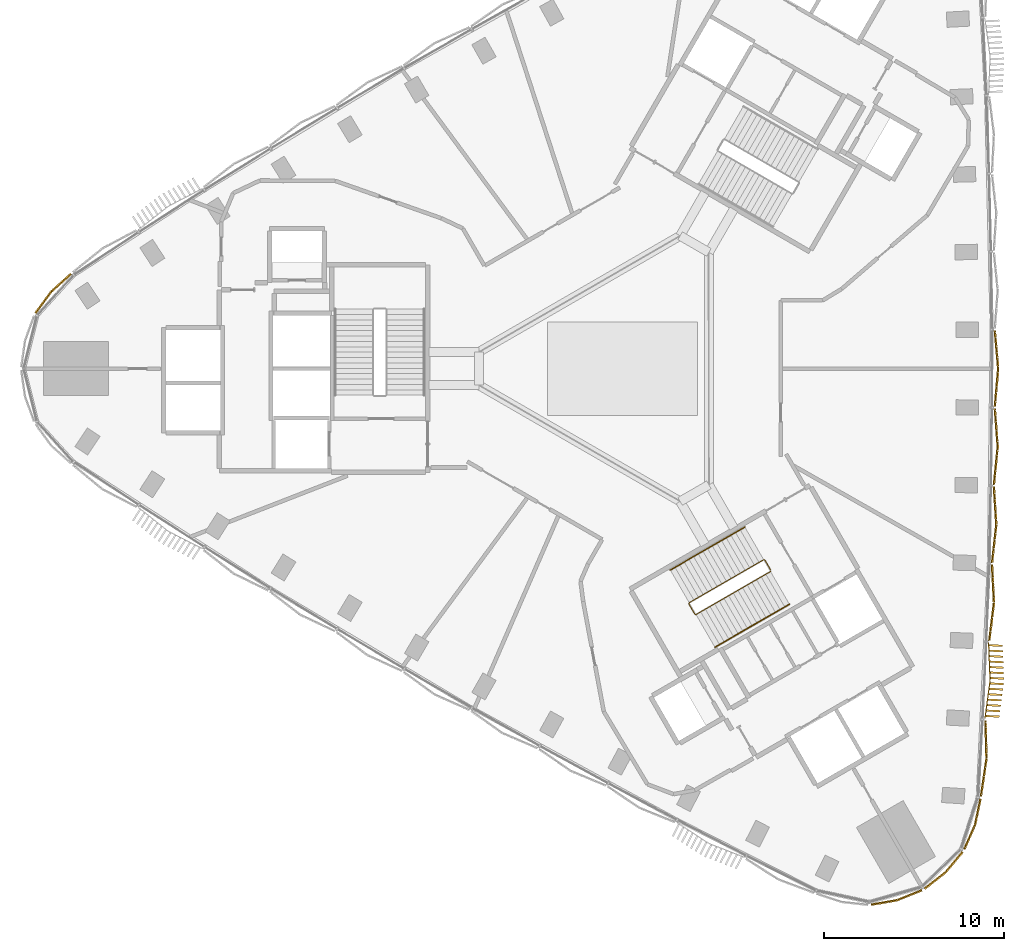
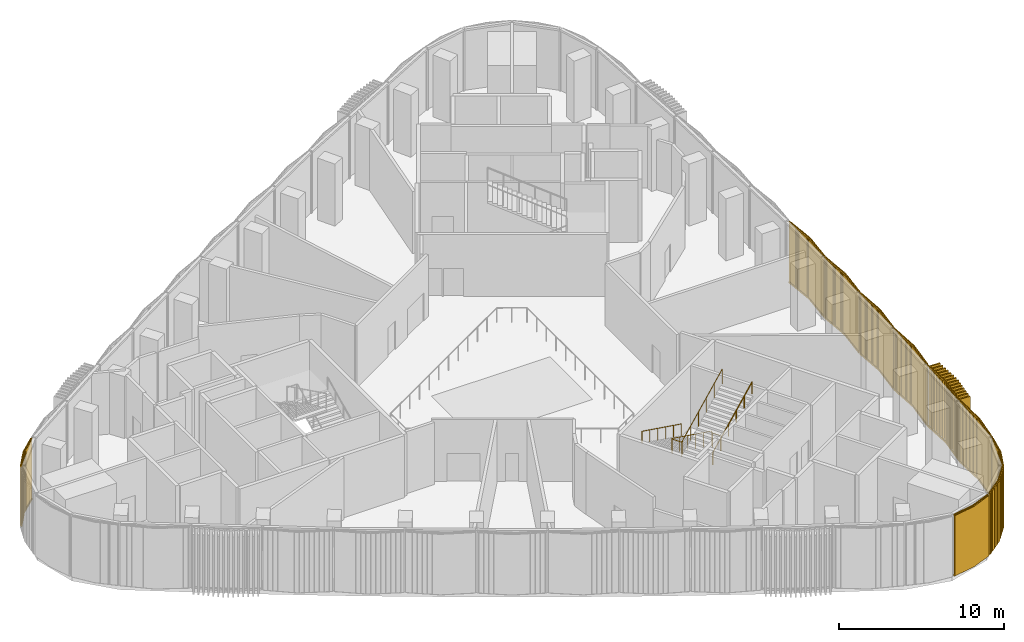
# One storey, part 14 of 17: 10 coverings, 3 railings.
"""IFC4 building model written with IfcOpenShell, lengths in metres."""

from ifc_helpers import new_model, si_unit, direction, frame, frame_2d, origin, origin_2d, place, context, subcontext, project, spatial, rectangle, circle, extrude, source, transform, mapped, material, type_object, element, save


model = new_model("IFC4")

# Units and contexts
model_context = context("Model", 3, precision=1e-05, world=origin(), true_north=direction((0.0, 1.0)))
body_context = subcontext(model_context, "Body", "Model", "MODEL_VIEW")
ifc_project = project(units=[si_unit("LENGTHUNIT", "METRE"), si_unit("AREAUNIT", "SQUARE_METRE"), si_unit("VOLUMEUNIT", "CUBIC_METRE"), si_unit("PLANEANGLEUNIT", "RADIAN"), si_unit("MASSUNIT", "GRAM", prefix="KILO")], contexts=[model_context])

# Site, building, storey
site_placement = place(None, origin())
site = spatial("IfcSite", under=ifc_project, at=site_placement, CompositionType="ELEMENT")
building_placement = place(site_placement, origin())
building = spatial("IfcBuilding", under=site, at=building_placement, Name="Tamra Quay Hotel Tower", CompositionType="ELEMENT")
storey_placement = place(building_placement, frame((0.0, 0.0, 123.800048828125)))
storey = spatial("IfcBuildingStorey", under=building, at=storey_placement, Name="L30", CompositionType="ELEMENT", Elevation=123.800048828125)

# Railings
ifc_material_1 = material(Name="Stair guard 1100")
railing_type_1 = type_object("IfcRailingType", Name="Stair guard 1100", PredefinedType="GUARDRAIL", material=ifc_material_1)
railing_1_placement = place(storey_placement, frame((8.245849609375, -11.221923828125, 0.0)))
element("IfcRailing", 1, at=railing_1_placement, inside=storey, type_object=railing_type_1, Name="GR", PredefinedType="GUARDRAIL", context=body_context, shape_type="SweptSolid", body=[
    extrude(circle(Radius=0.02392578125, at=origin_2d()), frame((0.0, 0.0, 1.076171875), z_axis=(-0.500043078269, 0.866000531106, 0.0), x_axis=(-0.866000531106, -0.500043078269, 0.0)), (0.0, 0.0, 1.0), 0.6591796875),
    extrude(circle(Radius=0.02392578125, at=origin_2d()), frame((-0.32958984375, 0.57080078125, 1.076171875), z_axis=(-0.419065426167, 0.112249667723, 0.90099066626), x_axis=(-0.258736085224, -0.965948051503, 0.0)), (0.0, 0.0, 1.0), 0.1630859375),
    extrude(circle(Radius=0.02392578125, at=origin_2d()), frame((-0.39794921875, 0.589111328125, 1.22314453125), z_axis=(-0.777106586887, -0.448679454232, 0.441352580107), x_axis=(0.500014005679, -0.866017317451, 0.0)), (0.0, 0.0, 1.0), 5.331298828125),
    extrude(circle(Radius=0.02392578125, at=origin_2d()), frame((-4.541015625, -1.802978515625, 3.576171875), z_axis=(-0.258736085224, -0.965948051503, 0.0), x_axis=(0.965948051503, -0.258736085224, 0.0)), (0.0, 0.0, 1.0), 0.07080078125),
    extrude(circle(Radius=0.02392578125, at=origin_2d()), frame((-4.559326171875, -1.871337890625, 3.576171875), z_axis=(0.500203519255, -0.865907869998, 0.0), x_axis=(0.865907869998, 0.500203519255, 0.0)), (0.0, 0.0, 1.0), 0.658935546875),
    extrude(circle(Radius=0.02392578125, at=origin_2d()), frame((-4.229736328125, -2.44189453125, 3.576171875), z_axis=(0.419065426167, -0.112249667723, 0.90099066626), x_axis=(0.258736085224, 0.965948051503, 0.0)), (0.0, 0.0, 1.0), 0.1630859375),
    extrude(circle(Radius=0.02392578125, at=origin_2d()), frame((-4.161376953125, -2.460205078125, 3.72314453125), z_axis=(0.777106586887, 0.448679454232, 0.441352580107), x_axis=(-0.500014005679, 0.866017317451, 0.0)), (0.0, 0.0, 1.0), 5.331298828125),
    extrude(circle(Radius=0.02099609375, at=origin_2d()), origin(), (0.0, 0.0, 1.0), 1.052001953125),
    extrude(circle(Radius=0.02099609375, at=origin_2d()), frame((-0.32958984375, 0.57080078125, 0.0)), (0.0, 0.0, 1.0), 1.052001953125),
    extrude(circle(Radius=0.02099609375, at=origin_2d()), frame((-0.39794921875, 0.589111328125, 0.14697265625)), (0.0, 0.0, 1.0), 1.052001953125),
    extrude(circle(Radius=0.02099609375, at=origin_2d()), frame((-1.2265625, 0.110595703125, 0.61767578125)), (0.0, 0.0, 1.0), 1.052001953125),
    extrude(circle(Radius=0.02099609375, at=origin_2d()), frame((-2.05517578125, -0.36767578125, 1.088134765625)), (0.0, 0.0, 1.0), 1.052001953125),
    extrude(circle(Radius=0.02099609375, at=origin_2d()), frame((-2.8837890625, -0.84619140625, 1.558837890625)), (0.0, 0.0, 1.0), 1.052001953125),
    extrude(circle(Radius=0.02099609375, at=origin_2d()), frame((-3.71240234375, -1.324462890625, 2.029296875)), (0.0, 0.0, 1.0), 1.052001953125),
    extrude(circle(Radius=0.02099609375, at=origin_2d()), frame((-4.541015625, -1.802978515625, 2.5)), (0.0, 0.0, 1.0), 1.052001953125),
    extrude(circle(Radius=0.02099609375, at=origin_2d()), frame((-4.559326171875, -1.871337890625, 2.5)), (0.0, 0.0, 1.0), 1.052001953125),
    extrude(circle(Radius=0.02099609375, at=origin_2d()), frame((-4.229736328125, -2.44189453125, 2.5)), (0.0, 0.0, 1.0), 1.052001953125),
    extrude(circle(Radius=0.02099609375, at=origin_2d()), frame((-4.161376953125, -2.460205078125, 2.64697265625)), (0.0, 0.0, 1.0), 1.052001953125),
    extrude(circle(Radius=0.02099609375, at=origin_2d()), frame((-3.332763671875, -1.981689453125, 3.11767578125)), (0.0, 0.0, 1.0), 1.052001953125),
    extrude(circle(Radius=0.02099609375, at=origin_2d()), frame((-2.504150390625, -1.50341796875, 3.588134765625)), (0.0, 0.0, 1.0), 1.052001953125),
    extrude(circle(Radius=0.02099609375, at=origin_2d()), frame((-1.675537109375, -1.02490234375, 4.058837890625)), (0.0, 0.0, 1.0), 1.052001953125),
    extrude(circle(Radius=0.02099609375, at=origin_2d()), frame((-0.846923828125, -0.546630859375, 4.529296875)), (0.0, 0.0, 1.0), 1.052001953125),
    extrude(circle(Radius=0.02099609375, at=origin_2d()), frame((-0.018310546875, -0.068115234375, 5.0)), (0.0, 0.0, 1.0), 1.052001953125),
])
ifc_material_2 = material(Name="Stair handrail 900")
railing_type_2 = type_object("IfcRailingType", Name="Stair handrail 900", PredefinedType="HANDRAIL", material=ifc_material_2)
railing_2_placement = place(storey_placement, frame((6.7978515625, -8.814208984375, 0.14697265625)))
element("IfcRailing", 2, at=railing_2_placement, inside=storey, type_object=railing_type_2, Name="HR", PredefinedType="HANDRAIL", context=body_context, shape_type="SweptSolid", body=[
    extrude(circle(Radius=0.02392578125, at=origin_2d()), frame((0.0, 0.0, 0.8759765625), z_axis=(-0.777106586887, -0.448679454232, 0.441352580107), x_axis=(0.500014005679, -0.866017317451, 0.0)), (0.0, 0.0, 1.0), 5.331298828125),
    extrude(circle(Radius=0.02099609375, at=origin_2d()), origin(), (0.0, 0.0, 1.0), 0.851806640625),
    extrude(circle(Radius=0.02099609375, at=origin_2d()), frame((-0.82861328125, -0.478515625, 0.470703125)), (0.0, 0.0, 1.0), 0.851806640625),
    extrude(circle(Radius=0.02099609375, at=origin_2d()), frame((-1.6572265625, -0.956787109375, 0.941162109375)), (0.0, 0.0, 1.0), 0.851806640625),
    extrude(circle(Radius=0.02099609375, at=origin_2d()), frame((-2.48583984375, -1.435302734375, 1.411865234375)), (0.0, 0.0, 1.0), 0.851806640625),
    extrude(circle(Radius=0.02099609375, at=origin_2d()), frame((-3.314453125, -1.91357421875, 1.88232421875)), (0.0, 0.0, 1.0), 0.851806640625),
    extrude(circle(Radius=0.02099609375, at=origin_2d()), frame((-4.14306640625, -2.39208984375, 2.35302734375)), (0.0, 0.0, 1.0), 0.851806640625),
])
railing_3_placement = place(storey_placement, frame((5.13427734375, -15.500732421875, 2.64697265625)))
element("IfcRailing", 3, at=railing_3_placement, inside=storey, type_object=railing_type_2, Name="HR", PredefinedType="HANDRAIL", context=body_context, shape_type="SweptSolid", body=[
    extrude(circle(Radius=0.02392578125, at=origin_2d()), frame((0.0, 0.0, 0.8759765625), z_axis=(0.777122553277, 0.448642878872, 0.441361648113), x_axis=(-0.49997573074, 0.866039415195, 0.0)), (0.0, 0.0, 1.0), 5.331298828125),
    extrude(circle(Radius=0.02099609375, at=origin_2d()), origin(), (0.0, 0.0, 1.0), 0.851806640625),
    extrude(circle(Radius=0.02099609375, at=origin_2d()), frame((0.82861328125, 0.478271484375, 0.470703125)), (0.0, 0.0, 1.0), 0.851806640625),
    extrude(circle(Radius=0.02099609375, at=origin_2d()), frame((1.6572265625, 0.956787109375, 0.941162109375)), (0.0, 0.0, 1.0), 0.851806640625),
    extrude(circle(Radius=0.02099609375, at=origin_2d()), frame((2.48583984375, 1.43505859375, 1.411865234375)), (0.0, 0.0, 1.0), 0.851806640625),
    extrude(circle(Radius=0.02099609375, at=origin_2d()), frame((3.314453125, 1.91357421875, 1.88232421875)), (0.0, 0.0, 1.0), 0.851806640625),
    extrude(circle(Radius=0.02099609375, at=origin_2d()), frame((4.14306640625, 2.391845703125, 2.35302734375)), (0.0, 0.0, 1.0), 0.851806640625),
])

# Coverings
ifc_material_3 = material(Name="Terracotta baguette extruded", Category="masonry")
covering_type_1 = type_object("IfcCoveringType", Name="BAGUETTE SCREEN E-SHALLOW H4600", PredefinedType="USERDEFINED", material=ifc_material_3)
shared_shape_1 = source(origin(), body_context, "Body", "SweptSolid", [
    extrude(rectangle(XDim=2.130615234375, YDim=0.06005859375, at=frame_2d((1.0654296875, 0.030029296875))), frame((-2.127685546875, -0.057861328125, -0.1201171875), z_axis=(0.0, 0.0, 1.0), x_axis=(0.996194698092, -0.087155742748, 0.0)), (0.0, 0.0, 1.0), 0.1201171875),
    extrude(rectangle(XDim=2.130615234375, YDim=0.06005859375, at=frame_2d((1.0654296875, 0.030029296875))), frame((-2.127685546875, -0.057861328125, -4.60009765625), z_axis=(0.0, 0.0, 1.0), x_axis=(0.996194698092, -0.087155742748, 0.0)), (0.0, 0.0, 1.0), 0.1201171875),
    extrude(rectangle(XDim=0.094970703125, YDim=0.10009765625, at=frame_2d((0.04736328125, 0.050048828125))), frame((-2.119384765625, -0.13232421875, -4.5400390625)), (0.0, 0.0, 1.0), 4.47998046875),
    extrude(rectangle(XDim=0.094970703125, YDim=0.10009765625, at=frame_2d((0.04736328125, 0.050048828125))), frame((-2.018310546875, -0.141357421875, -4.5400390625)), (0.0, 0.0, 1.0), 4.47998046875),
    extrude(rectangle(XDim=0.094970703125, YDim=0.10009765625, at=frame_2d((0.04736328125, 0.050048828125))), frame((-1.917236328125, -0.150146484375, -4.5400390625)), (0.0, 0.0, 1.0), 4.47998046875),
    extrude(rectangle(XDim=0.094970703125, YDim=0.10009765625, at=frame_2d((0.04736328125, 0.050048828125))), frame((-1.816162109375, -0.158935546875, -4.5400390625)), (0.0, 0.0, 1.0), 4.47998046875),
    extrude(rectangle(XDim=0.094970703125, YDim=0.10009765625, at=frame_2d((0.04736328125, 0.050048828125))), frame((-1.715087890625, -0.167724609375, -4.5400390625)), (0.0, 0.0, 1.0), 4.47998046875),
    extrude(rectangle(XDim=0.094970703125, YDim=0.10009765625, at=frame_2d((0.04736328125, 0.050048828125))), frame((-1.614013671875, -0.176513671875, -4.5400390625)), (0.0, 0.0, 1.0), 4.47998046875),
    extrude(rectangle(XDim=0.094970703125, YDim=0.10009765625, at=frame_2d((0.04736328125, 0.050048828125))), frame((-1.512939453125, -0.185546875, -4.5400390625)), (0.0, 0.0, 1.0), 4.47998046875),
    extrude(rectangle(XDim=0.094970703125, YDim=0.10009765625, at=frame_2d((0.04736328125, 0.050048828125))), frame((-1.411865234375, -0.1943359375, -4.5400390625)), (0.0, 0.0, 1.0), 4.47998046875),
    extrude(rectangle(XDim=0.094970703125, YDim=0.10009765625, at=frame_2d((0.04736328125, 0.050048828125))), frame((-1.310791015625, -0.203125, -4.5400390625)), (0.0, 0.0, 1.0), 4.47998046875),
    extrude(rectangle(XDim=0.094970703125, YDim=0.10009765625, at=frame_2d((0.04736328125, 0.050048828125))), frame((-1.209716796875, -0.2119140625, -4.5400390625)), (0.0, 0.0, 1.0), 4.47998046875),
    extrude(rectangle(XDim=0.094970703125, YDim=0.10009765625, at=frame_2d((0.04736328125, 0.050048828125))), frame((-1.108642578125, -0.220947265625, -4.5400390625)), (0.0, 0.0, 1.0), 4.47998046875),
    extrude(rectangle(XDim=0.094970703125, YDim=0.10009765625, at=frame_2d((0.04736328125, 0.050048828125))), frame((-1.007568359375, -0.229736328125, -4.5400390625)), (0.0, 0.0, 1.0), 4.47998046875),
    extrude(rectangle(XDim=0.094970703125, YDim=0.10009765625, at=frame_2d((0.04736328125, 0.050048828125))), frame((-0.906494140625, -0.238525390625, -4.5400390625)), (0.0, 0.0, 1.0), 4.47998046875),
    extrude(rectangle(XDim=0.094970703125, YDim=0.10009765625, at=frame_2d((0.04736328125, 0.050048828125))), frame((-0.805419921875, -0.247314453125, -4.5400390625)), (0.0, 0.0, 1.0), 4.47998046875),
    extrude(rectangle(XDim=0.094970703125, YDim=0.10009765625, at=frame_2d((0.04736328125, 0.050048828125))), frame((-0.704345703125, -0.256103515625, -4.5400390625)), (0.0, 0.0, 1.0), 4.47998046875),
    extrude(rectangle(XDim=0.094970703125, YDim=0.10009765625, at=frame_2d((0.04736328125, 0.050048828125))), frame((-0.603271484375, -0.26513671875, -4.5400390625)), (0.0, 0.0, 1.0), 4.47998046875),
    extrude(rectangle(XDim=0.094970703125, YDim=0.10009765625, at=frame_2d((0.04736328125, 0.050048828125))), frame((-0.50244140625, -0.27392578125, -4.5400390625)), (0.0, 0.0, 1.0), 4.47998046875),
    extrude(rectangle(XDim=0.094970703125, YDim=0.10009765625, at=frame_2d((0.04736328125, 0.050048828125))), frame((-0.4013671875, -0.28271484375, -4.5400390625)), (0.0, 0.0, 1.0), 4.47998046875),
    extrude(rectangle(XDim=0.094970703125, YDim=0.10009765625, at=frame_2d((0.04736328125, 0.050048828125))), frame((-0.30029296875, -0.29150390625, -4.5400390625)), (0.0, 0.0, 1.0), 4.47998046875),
    extrude(rectangle(XDim=0.094970703125, YDim=0.10009765625, at=frame_2d((0.04736328125, 0.050048828125))), frame((-0.19921875, -0.300537109375, -4.5400390625)), (0.0, 0.0, 1.0), 4.47998046875),
    extrude(rectangle(XDim=0.094970703125, YDim=0.10009765625, at=frame_2d((0.04736328125, 0.050048828125))), frame((-0.09814453125, -0.309326171875, -4.5400390625)), (0.0, 0.0, 1.0), 4.47998046875),
    extrude(rectangle(XDim=2.130615234375, YDim=0.06005859375, at=frame_2d((1.0654296875, 0.030029296875))), frame((0.005126953125, -0.243408203125, -0.1201171875), z_axis=(0.0, 0.0, 1.0), x_axis=(0.996194698092, 0.087155742748, 0.0)), (0.0, 0.0, 1.0), 0.1201171875),
    extrude(rectangle(XDim=2.130615234375, YDim=0.06005859375, at=frame_2d((1.0654296875, 0.030029296875))), frame((0.005126953125, -0.243408203125, -4.60009765625), z_axis=(0.0, 0.0, 1.0), x_axis=(0.996194698092, 0.087155742748, 0.0)), (0.0, 0.0, 1.0), 0.1201171875),
    extrude(rectangle(XDim=0.094970703125, YDim=0.10009765625, at=frame_2d((0.04736328125, 0.050048828125))), frame((0.0029296875, -0.309326171875, -4.5400390625)), (0.0, 0.0, 1.0), 4.47998046875),
    extrude(rectangle(XDim=0.094970703125, YDim=0.10009765625, at=frame_2d((0.04736328125, 0.050048828125))), frame((0.10400390625, -0.300537109375, -4.5400390625)), (0.0, 0.0, 1.0), 4.47998046875),
    extrude(rectangle(XDim=0.094970703125, YDim=0.10009765625, at=frame_2d((0.04736328125, 0.050048828125))), frame((0.205078125, -0.29150390625, -4.5400390625)), (0.0, 0.0, 1.0), 4.47998046875),
    extrude(rectangle(XDim=0.094970703125, YDim=0.10009765625, at=frame_2d((0.04736328125, 0.050048828125))), frame((0.30615234375, -0.28271484375, -4.5400390625)), (0.0, 0.0, 1.0), 4.47998046875),
    extrude(rectangle(XDim=0.094970703125, YDim=0.10009765625, at=frame_2d((0.04736328125, 0.050048828125))), frame((0.4072265625, -0.27392578125, -4.5400390625)), (0.0, 0.0, 1.0), 4.47998046875),
    extrude(rectangle(XDim=0.094970703125, YDim=0.10009765625, at=frame_2d((0.04736328125, 0.050048828125))), frame((0.50830078125, -0.26513671875, -4.5400390625)), (0.0, 0.0, 1.0), 4.47998046875),
    extrude(rectangle(XDim=0.094970703125, YDim=0.10009765625, at=frame_2d((0.04736328125, 0.050048828125))), frame((0.609375, -0.256103515625, -4.5400390625)), (0.0, 0.0, 1.0), 4.47998046875),
    extrude(rectangle(XDim=0.094970703125, YDim=0.10009765625, at=frame_2d((0.04736328125, 0.050048828125))), frame((0.71044921875, -0.247314453125, -4.5400390625)), (0.0, 0.0, 1.0), 4.47998046875),
    extrude(rectangle(XDim=0.094970703125, YDim=0.10009765625, at=frame_2d((0.04736328125, 0.050048828125))), frame((0.8115234375, -0.238525390625, -4.5400390625)), (0.0, 0.0, 1.0), 4.47998046875),
    extrude(rectangle(XDim=0.094970703125, YDim=0.10009765625, at=frame_2d((0.04736328125, 0.050048828125))), frame((0.91259765625, -0.229736328125, -4.5400390625)), (0.0, 0.0, 1.0), 4.47998046875),
    extrude(rectangle(XDim=0.094970703125, YDim=0.10009765625, at=frame_2d((0.04736328125, 0.050048828125))), frame((1.013671875, -0.220947265625, -4.5400390625)), (0.0, 0.0, 1.0), 4.47998046875),
    extrude(rectangle(XDim=0.094970703125, YDim=0.10009765625, at=frame_2d((0.04736328125, 0.050048828125))), frame((1.11474609375, -0.2119140625, -4.5400390625)), (0.0, 0.0, 1.0), 4.47998046875),
    extrude(rectangle(XDim=0.094970703125, YDim=0.10009765625, at=frame_2d((0.04736328125, 0.050048828125))), frame((1.2158203125, -0.203125, -4.5400390625)), (0.0, 0.0, 1.0), 4.47998046875),
    extrude(rectangle(XDim=0.094970703125, YDim=0.10009765625, at=frame_2d((0.04736328125, 0.050048828125))), frame((1.31689453125, -0.1943359375, -4.5400390625)), (0.0, 0.0, 1.0), 4.47998046875),
    extrude(rectangle(XDim=0.094970703125, YDim=0.10009765625, at=frame_2d((0.04736328125, 0.050048828125))), frame((1.41796875, -0.185546875, -4.5400390625)), (0.0, 0.0, 1.0), 4.47998046875),
    extrude(rectangle(XDim=0.094970703125, YDim=0.10009765625, at=frame_2d((0.04736328125, 0.050048828125))), frame((1.51904296875, -0.176513671875, -4.5400390625)), (0.0, 0.0, 1.0), 4.47998046875),
    extrude(rectangle(XDim=0.094970703125, YDim=0.10009765625, at=frame_2d((0.04736328125, 0.050048828125))), frame((1.6201171875, -0.167724609375, -4.5400390625)), (0.0, 0.0, 1.0), 4.47998046875),
    extrude(rectangle(XDim=0.094970703125, YDim=0.10009765625, at=frame_2d((0.04736328125, 0.050048828125))), frame((1.72119140625, -0.158935546875, -4.5400390625)), (0.0, 0.0, 1.0), 4.47998046875),
    extrude(rectangle(XDim=0.094970703125, YDim=0.10009765625, at=frame_2d((0.04736328125, 0.050048828125))), frame((1.822265625, -0.150146484375, -4.5400390625)), (0.0, 0.0, 1.0), 4.47998046875),
    extrude(rectangle(XDim=0.094970703125, YDim=0.10009765625, at=frame_2d((0.04736328125, 0.050048828125))), frame((1.92333984375, -0.141357421875, -4.5400390625)), (0.0, 0.0, 1.0), 4.47998046875),
    extrude(rectangle(XDim=0.094970703125, YDim=0.10009765625, at=frame_2d((0.04736328125, 0.050048828125))), frame((2.0244140625, -0.13232421875, -4.5400390625)), (0.0, 0.0, 1.0), 4.47998046875),
])
for number, where, z_axis, x_axis, name in (
    (4, (19.995849609375, -21.6875, 4.599853515625), (0.0, 0.0, 1.0), (0.059642012577, 0.998219830666, 0.0), "Baguette screen L30.E.f00"),
    (5, (20.410400390625, -13.017578125, 4.599853515625), (0.0, 0.0, 1.0), (0.035844773182, 0.999357369631, 0.0), "Baguette screen L30.E.f02"),
    (6, (20.5400390625, -8.67919921875, 4.599853515625), (0.0, 0.0, 1.0), (0.02389629492, 0.999714442773, 0.0), "Baguette screen L30.E.f03"),
    (7, (20.617919921875, -4.33984375, 4.599853515625), (0.0, 0.0, 1.0), (0.011957083314, 0.999928511524, 0.0), "Baguette screen L30.E.f04"),
    (8, (20.643798828125, 0.0, 4.599853515625), (0.0, 0.0, 1.0), (0.0, 1.0, 0.0), "Baguette screen L30.E.f05"),
):
    element("IfcCovering", number, at=place(storey_placement, frame(where, z_axis=z_axis, x_axis=x_axis)), inside=storey, type_object=covering_type_1, Name=name, ObjectType="BAGUETTE SCREEN", PredefinedType="USERDEFINED", context=body_context, shape_type="MappedRepresentation", body=[
        mapped(shared_shape_1, transform((0.0, 0.0, 0.0), scale=1.0)),
    ])
covering_type_2 = type_object("IfcCoveringType", Name="BAGUETTE SCREEN E-DEEP H4600", PredefinedType="USERDEFINED", material=ifc_material_3)
shared_shape_2 = source(origin(), body_context, "Body", "SweptSolid", [
    extrude(rectangle(XDim=2.130615234375, YDim=0.06005859375, at=frame_2d((1.0654296875, 0.030029296875))), frame((-2.127685546875, -0.057861328125, -0.1201171875), z_axis=(0.0, 0.0, 1.0), x_axis=(0.996194698092, -0.087155742748, 0.0)), (0.0, 0.0, 1.0), 0.1201171875),
    extrude(rectangle(XDim=2.130615234375, YDim=0.06005859375, at=frame_2d((1.0654296875, 0.030029296875))), frame((-2.127685546875, -0.057861328125, -4.60009765625), z_axis=(0.0, 0.0, 1.0), x_axis=(0.996194698092, -0.087155742748, 0.0)), (0.0, 0.0, 1.0), 0.1201171875),
    extrude(rectangle(XDim=0.10009765625, YDim=0.780029296875, at=frame_2d((0.050048828125, 0.39013671875))), frame((-2.02099609375, -0.8212890625, -4.5400390625)), (0.0, 0.0, 1.0), 4.47998046875),
    extrude(rectangle(XDim=0.10009765625, YDim=0.780029296875, at=frame_2d((0.050048828125, 0.39013671875))), frame((-1.7177734375, -0.847900390625, -4.5400390625)), (0.0, 0.0, 1.0), 4.47998046875),
    extrude(rectangle(XDim=0.10009765625, YDim=0.780029296875, at=frame_2d((0.050048828125, 0.39013671875))), frame((-1.41455078125, -0.874267578125, -4.5400390625)), (0.0, 0.0, 1.0), 4.47998046875),
    extrude(rectangle(XDim=0.10009765625, YDim=0.780029296875, at=frame_2d((0.050048828125, 0.39013671875))), frame((-1.111328125, -0.90087890625, -4.5400390625)), (0.0, 0.0, 1.0), 4.47998046875),
    extrude(rectangle(XDim=0.10009765625, YDim=0.780029296875, at=frame_2d((0.050048828125, 0.39013671875))), frame((-0.80810546875, -0.927490234375, -4.5400390625)), (0.0, 0.0, 1.0), 4.47998046875),
    extrude(rectangle(XDim=0.10009765625, YDim=0.780029296875, at=frame_2d((0.050048828125, 0.39013671875))), frame((-0.5048828125, -0.953857421875, -4.5400390625)), (0.0, 0.0, 1.0), 4.47998046875),
    extrude(rectangle(XDim=0.10009765625, YDim=0.780029296875, at=frame_2d((0.050048828125, 0.39013671875))), frame((-0.20166015625, -0.98046875, -4.5400390625)), (0.0, 0.0, 1.0), 4.47998046875),
    extrude(rectangle(XDim=2.130615234375, YDim=0.06005859375, at=frame_2d((1.0654296875, 0.030029296875))), frame((0.005126953125, -0.243408203125, -0.1201171875), z_axis=(0.0, 0.0, 1.0), x_axis=(0.996194698092, 0.087155742748, 0.0)), (0.0, 0.0, 1.0), 0.1201171875),
    extrude(rectangle(XDim=2.130615234375, YDim=0.06005859375, at=frame_2d((1.0654296875, 0.030029296875))), frame((0.005126953125, -0.243408203125, -4.60009765625), z_axis=(0.0, 0.0, 1.0), x_axis=(0.996194698092, 0.087155742748, 0.0)), (0.0, 0.0, 1.0), 0.1201171875),
    extrude(rectangle(XDim=0.10009765625, YDim=0.780029296875, at=frame_2d((0.050048828125, 0.39013671875))), frame((0.1015625, -0.98046875, -4.5400390625)), (0.0, 0.0, 1.0), 4.47998046875),
    extrude(rectangle(XDim=0.10009765625, YDim=0.780029296875, at=frame_2d((0.050048828125, 0.39013671875))), frame((0.40478515625, -0.953857421875, -4.5400390625)), (0.0, 0.0, 1.0), 4.47998046875),
    extrude(rectangle(XDim=0.10009765625, YDim=0.780029296875, at=frame_2d((0.050048828125, 0.39013671875))), frame((0.7080078125, -0.927490234375, -4.5400390625)), (0.0, 0.0, 1.0), 4.47998046875),
    extrude(rectangle(XDim=0.10009765625, YDim=0.780029296875, at=frame_2d((0.050048828125, 0.39013671875))), frame((1.01123046875, -0.90087890625, -4.5400390625)), (0.0, 0.0, 1.0), 4.47998046875),
    extrude(rectangle(XDim=0.10009765625, YDim=0.780029296875, at=frame_2d((0.050048828125, 0.39013671875))), frame((1.314453125, -0.874267578125, -4.5400390625)), (0.0, 0.0, 1.0), 4.47998046875),
    extrude(rectangle(XDim=0.10009765625, YDim=0.780029296875, at=frame_2d((0.050048828125, 0.39013671875))), frame((1.61767578125, -0.847900390625, -4.5400390625)), (0.0, 0.0, 1.0), 4.47998046875),
    extrude(rectangle(XDim=0.10009765625, YDim=0.780029296875, at=frame_2d((0.050048828125, 0.39013671875))), frame((1.9208984375, -0.8212890625, -4.5400390625)), (0.0, 0.0, 1.0), 4.47998046875),
])
covering_placement = place(storey_placement, frame((20.22900390625, -17.353759765625, 4.599853515625), z_axis=(0.0, 0.0, 1.0), x_axis=(0.047746993886, 0.998859461874, 0.0)))
element("IfcCovering", 9, at=covering_placement, inside=storey, type_object=covering_type_2, Name="Baguette screen L30.E.f01", ObjectType="BAGUETTE SCREEN", PredefinedType="USERDEFINED", context=body_context, shape_type="MappedRepresentation", body=[
    mapped(shared_shape_2, transform((0.0, 0.0, 0.0), scale=1.0)),
])
covering_type_3 = type_object("IfcCoveringType", Name="BAGUETTE SCREEN CORNER-SHALLOW H4600", PredefinedType="USERDEFINED", material=ifc_material_3)
shared_shape_3 = source(origin(), body_context, "Body", "SweptSolid", [
    extrude(rectangle(XDim=1.480712890625, YDim=0.06005859375, at=frame_2d((0.740234375, 0.030029296875))), frame((-1.478759765625, -0.0576171875, -0.1201171875), z_axis=(0.0, 0.0, 1.0), x_axis=(0.994521895368, -0.104528463268, 0.0)), (0.0, 0.0, 1.0), 0.1201171875),
    extrude(rectangle(XDim=1.480712890625, YDim=0.06005859375, at=frame_2d((0.740234375, 0.030029296875))), frame((-1.478759765625, -0.0576171875, -4.60009765625), z_axis=(0.0, 0.0, 1.0), x_axis=(0.994521895368, -0.104528463268, 0.0)), (0.0, 0.0, 1.0), 0.1201171875),
    extrude(rectangle(XDim=0.094970703125, YDim=0.10009765625, at=frame_2d((0.04736328125, 0.050048828125))), frame((-1.470947265625, -0.133056640625, -4.5400390625)), (0.0, 0.0, 1.0), 4.47998046875),
    extrude(rectangle(XDim=0.094970703125, YDim=0.10009765625, at=frame_2d((0.04736328125, 0.050048828125))), frame((-1.372802734375, -0.1435546875, -4.5400390625)), (0.0, 0.0, 1.0), 4.47998046875),
    extrude(rectangle(XDim=0.094970703125, YDim=0.10009765625, at=frame_2d((0.04736328125, 0.050048828125))), frame((-1.274658203125, -0.15380859375, -4.5400390625)), (0.0, 0.0, 1.0), 4.47998046875),
    extrude(rectangle(XDim=0.094970703125, YDim=0.10009765625, at=frame_2d((0.04736328125, 0.050048828125))), frame((-1.176513671875, -0.1640625, -4.5400390625)), (0.0, 0.0, 1.0), 4.47998046875),
    extrude(rectangle(XDim=0.094970703125, YDim=0.10009765625, at=frame_2d((0.04736328125, 0.050048828125))), frame((-1.078369140625, -0.17431640625, -4.5400390625)), (0.0, 0.0, 1.0), 4.47998046875),
    extrude(rectangle(XDim=0.094970703125, YDim=0.10009765625, at=frame_2d((0.04736328125, 0.050048828125))), frame((-0.97998046875, -0.184814453125, -4.5400390625)), (0.0, 0.0, 1.0), 4.47998046875),
    extrude(rectangle(XDim=0.094970703125, YDim=0.10009765625, at=frame_2d((0.04736328125, 0.050048828125))), frame((-0.8818359375, -0.195068359375, -4.5400390625)), (0.0, 0.0, 1.0), 4.47998046875),
    extrude(rectangle(XDim=0.094970703125, YDim=0.10009765625, at=frame_2d((0.04736328125, 0.050048828125))), frame((-0.78369140625, -0.205322265625, -4.5400390625)), (0.0, 0.0, 1.0), 4.47998046875),
    extrude(rectangle(XDim=0.094970703125, YDim=0.10009765625, at=frame_2d((0.04736328125, 0.050048828125))), frame((-0.685546875, -0.2158203125, -4.5400390625)), (0.0, 0.0, 1.0), 4.47998046875),
    extrude(rectangle(XDim=0.094970703125, YDim=0.10009765625, at=frame_2d((0.04736328125, 0.050048828125))), frame((-0.58740234375, -0.22607421875, -4.5400390625)), (0.0, 0.0, 1.0), 4.47998046875),
    extrude(rectangle(XDim=0.094970703125, YDim=0.10009765625, at=frame_2d((0.04736328125, 0.050048828125))), frame((-0.4892578125, -0.236328125, -4.5400390625)), (0.0, 0.0, 1.0), 4.47998046875),
    extrude(rectangle(XDim=0.094970703125, YDim=0.10009765625, at=frame_2d((0.04736328125, 0.050048828125))), frame((-0.39111328125, -0.24658203125, -4.5400390625)), (0.0, 0.0, 1.0), 4.47998046875),
    extrude(rectangle(XDim=0.094970703125, YDim=0.10009765625, at=frame_2d((0.04736328125, 0.050048828125))), frame((-0.29296875, -0.257080078125, -4.5400390625)), (0.0, 0.0, 1.0), 4.47998046875),
    extrude(rectangle(XDim=0.094970703125, YDim=0.10009765625, at=frame_2d((0.04736328125, 0.050048828125))), frame((-0.19482421875, -0.267333984375, -4.5400390625)), (0.0, 0.0, 1.0), 4.47998046875),
    extrude(rectangle(XDim=0.094970703125, YDim=0.10009765625, at=frame_2d((0.04736328125, 0.050048828125))), frame((-0.0966796875, -0.277587890625, -4.5400390625)), (0.0, 0.0, 1.0), 4.47998046875),
    extrude(rectangle(XDim=1.480712890625, YDim=0.06005859375, at=frame_2d((0.740234375, 0.030029296875))), frame((0.00634765625, -0.21240234375, -0.1201171875), z_axis=(0.0, 0.0, 1.0), x_axis=(0.994521895368, 0.104528463268, 0.0)), (0.0, 0.0, 1.0), 0.1201171875),
    extrude(rectangle(XDim=1.480712890625, YDim=0.06005859375, at=frame_2d((0.740234375, 0.030029296875))), frame((0.00634765625, -0.21240234375, -4.60009765625), z_axis=(0.0, 0.0, 1.0), x_axis=(0.994521895368, 0.104528463268, 0.0)), (0.0, 0.0, 1.0), 0.1201171875),
    extrude(rectangle(XDim=0.094970703125, YDim=0.10009765625, at=frame_2d((0.04736328125, 0.050048828125))), frame((0.00146484375, -0.277587890625, -4.5400390625)), (0.0, 0.0, 1.0), 4.47998046875),
    extrude(rectangle(XDim=0.094970703125, YDim=0.10009765625, at=frame_2d((0.04736328125, 0.050048828125))), frame((0.099853515625, -0.267333984375, -4.5400390625)), (0.0, 0.0, 1.0), 4.47998046875),
    extrude(rectangle(XDim=0.094970703125, YDim=0.10009765625, at=frame_2d((0.04736328125, 0.050048828125))), frame((0.197998046875, -0.257080078125, -4.5400390625)), (0.0, 0.0, 1.0), 4.47998046875),
    extrude(rectangle(XDim=0.094970703125, YDim=0.10009765625, at=frame_2d((0.04736328125, 0.050048828125))), frame((0.296142578125, -0.24658203125, -4.5400390625)), (0.0, 0.0, 1.0), 4.47998046875),
    extrude(rectangle(XDim=0.094970703125, YDim=0.10009765625, at=frame_2d((0.04736328125, 0.050048828125))), frame((0.394287109375, -0.236328125, -4.5400390625)), (0.0, 0.0, 1.0), 4.47998046875),
    extrude(rectangle(XDim=0.094970703125, YDim=0.10009765625, at=frame_2d((0.04736328125, 0.050048828125))), frame((0.492431640625, -0.22607421875, -4.5400390625)), (0.0, 0.0, 1.0), 4.47998046875),
    extrude(rectangle(XDim=0.094970703125, YDim=0.10009765625, at=frame_2d((0.04736328125, 0.050048828125))), frame((0.590576171875, -0.2158203125, -4.5400390625)), (0.0, 0.0, 1.0), 4.47998046875),
    extrude(rectangle(XDim=0.094970703125, YDim=0.10009765625, at=frame_2d((0.04736328125, 0.050048828125))), frame((0.688720703125, -0.205322265625, -4.5400390625)), (0.0, 0.0, 1.0), 4.47998046875),
    extrude(rectangle(XDim=0.094970703125, YDim=0.10009765625, at=frame_2d((0.04736328125, 0.050048828125))), frame((0.786865234375, -0.195068359375, -4.5400390625)), (0.0, 0.0, 1.0), 4.47998046875),
    extrude(rectangle(XDim=0.094970703125, YDim=0.10009765625, at=frame_2d((0.04736328125, 0.050048828125))), frame((0.885009765625, -0.184814453125, -4.5400390625)), (0.0, 0.0, 1.0), 4.47998046875),
    extrude(rectangle(XDim=0.094970703125, YDim=0.10009765625, at=frame_2d((0.04736328125, 0.050048828125))), frame((0.983154296875, -0.17431640625, -4.5400390625)), (0.0, 0.0, 1.0), 4.47998046875),
    extrude(rectangle(XDim=0.094970703125, YDim=0.10009765625, at=frame_2d((0.04736328125, 0.050048828125))), frame((1.081298828125, -0.1640625, -4.5400390625)), (0.0, 0.0, 1.0), 4.47998046875),
    extrude(rectangle(XDim=0.094970703125, YDim=0.10009765625, at=frame_2d((0.04736328125, 0.050048828125))), frame((1.1796875, -0.15380859375, -4.5400390625)), (0.0, 0.0, 1.0), 4.47998046875),
    extrude(rectangle(XDim=0.094970703125, YDim=0.10009765625, at=frame_2d((0.04736328125, 0.050048828125))), frame((1.27783203125, -0.1435546875, -4.5400390625)), (0.0, 0.0, 1.0), 4.47998046875),
    extrude(rectangle(XDim=0.094970703125, YDim=0.10009765625, at=frame_2d((0.04736328125, 0.050048828125))), frame((1.3759765625, -0.133056640625, -4.5400390625)), (0.0, 0.0, 1.0), 4.47998046875),
])
for number, where, z_axis, x_axis, name in (
    (10, (-31.629150390625, 4.13720703125, 4.599853515625), (0.0, 0.0, 1.0), (-0.671549804177, -0.740959418936, 0.0), "Baguette screen L30.NW.c11"),
    (11, (15.223876953125, -29.3623046875, 4.599853515625), (0.0, 0.0, 1.0), (0.961560667302, 0.274592576551, 0.0), "Baguette screen L30.SW.c12"),
    (12, (17.81640625, -27.865234375, 4.599853515625), (0.0, 0.0, 1.0), (0.718584480635, 0.695439676888, 0.0), "Baguette screen L30.SW.c13"),
    (13, (19.3974609375, -25.322998046875, 4.599853515625), (0.0, 0.0, 1.0), (0.305914777883, 0.952058899792, 0.0), "Baguette screen L30.SW.c14"),
):
    element("IfcCovering", number, at=place(storey_placement, frame(where, z_axis=z_axis, x_axis=x_axis)), inside=storey, type_object=covering_type_3, Name=name, ObjectType="BAGUETTE SCREEN", PredefinedType="USERDEFINED", context=body_context, shape_type="MappedRepresentation", body=[
        mapped(shared_shape_3, transform((0.0, 0.0, 0.0), scale=1.0)),
    ])

save(model, "model.ifc")
